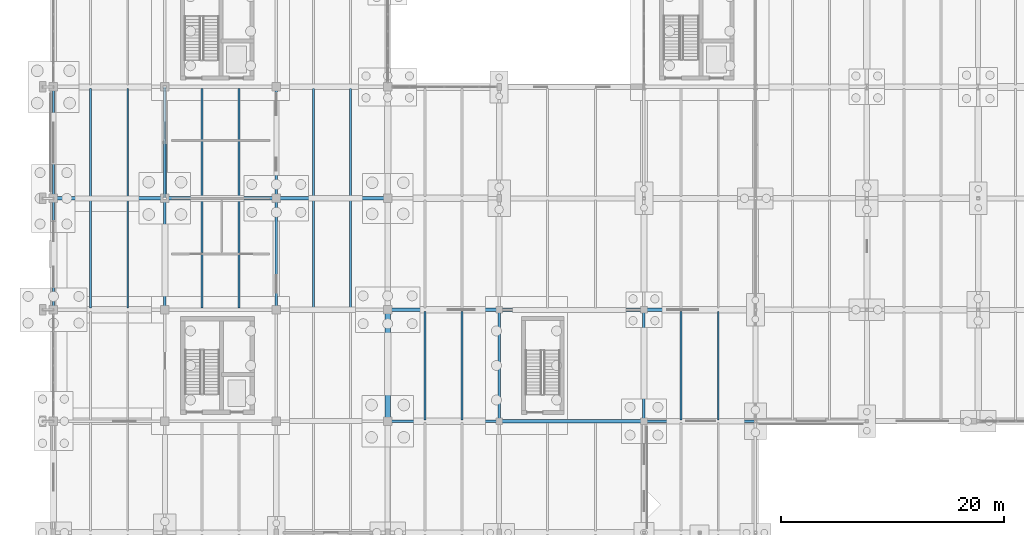
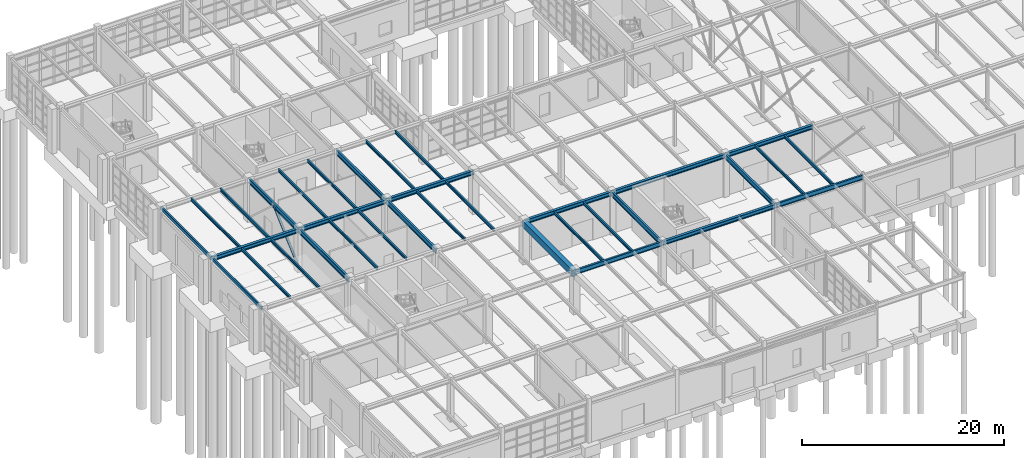
# One storey, part 36 of 145: 34 beams, 1 member.
"""IFC4 building model written with IfcOpenShell, lengths in metres."""

from ifc_helpers import new_model, si_unit, direction, frame, origin, origin_2d, place, context, subcontext, project, spatial, rectangle, hollow_rectangle, hollow_circle, i_section, extrude, material, material_profile, profile_set, type_object, element, save


model = new_model("IFC4")

# Units and contexts
model_context = context("Model", 3, precision=1e-05, world=origin(), true_north=direction((0.0, 1.0)))
body_context = subcontext(model_context, "Body", "Model", "MODEL_VIEW")
ifc_project = project(units=[si_unit("LENGTHUNIT", "METRE"), si_unit("AREAUNIT", "SQUARE_METRE"), si_unit("VOLUMEUNIT", "CUBIC_METRE"), si_unit("PLANEANGLEUNIT", "RADIAN"), si_unit("MASSUNIT", "GRAM", prefix="KILO"), si_unit("THERMODYNAMICTEMPERATUREUNIT", "KELVIN"), si_unit("POWERUNIT", "WATT")], contexts=[model_context])

# Site, building, storey
site_placement = place(None, origin())
site = spatial("IfcSite", under=ifc_project, at=site_placement, CompositionType="ELEMENT")
building_placement = place(site_placement, origin())
building = spatial("IfcBuilding", under=site, at=building_placement, Name="Korenveer Ferry Terminal", CompositionType="ELEMENT")
storey_placement = place(building_placement, origin())
storey = spatial("IfcBuildingStorey", under=building, at=storey_placement, Name="L00", CompositionType="ELEMENT", Elevation=0.0)

# Beams
ifc_material_1 = material(Name="Steel S355", Category="steel")
ifc_material_profile_1 = material_profile(ifc_material_1, i_section(OverallWidth=0.300048828125, OverallDepth=0.5, WebThickness=0.014404296875, FlangeThickness=0.028076171875, FilletRadius=0.027099609375, at=origin_2d()), Name="HEB 500")
ifc_profile_set_1 = profile_set([ifc_material_profile_1], Name="Steel S355")
beam_type_1 = type_object("IfcBeamType", Name="STR-BM-HEB500", PredefinedType="BEAM", material=ifc_profile_set_1)
beam_1_placement = place(storey_placement, frame((40.02001953125, 20.0, 4.8701171875), z_axis=(1.0, 0.0, 0.0), x_axis=(0.0, 1.0, 0.0)))
element("IfcBeam", 1, at=beam_1_placement, inside=storey, type_object=beam_type_1, Name="Primary X girder BMX-L01-X40-53-Y20", PredefinedType="BEAM", context=body_context, shape_type="SweptSolid", body=[
    extrude(i_section(OverallWidth=0.300048828125, OverallDepth=0.5, WebThickness=0.014404296875, FlangeThickness=0.028076171875, FilletRadius=0.027099609375, at=origin_2d()), origin(), (0.0, 0.0, 1.0), 12.9599609375),
])
beam_2_placement = place(storey_placement, frame((30.02001953125, 30.0, 4.8701171875), z_axis=(1.0, 0.0, 0.0), x_axis=(0.0, 1.0, 0.0)))
element("IfcBeam", 2, at=beam_2_placement, inside=storey, type_object=beam_type_1, Name="Primary X girder BMX-L01-X30-40-Y30", PredefinedType="BEAM", context=body_context, shape_type="SweptSolid", body=[
    extrude(i_section(OverallWidth=0.300048828125, OverallDepth=0.5, WebThickness=0.014404296875, FlangeThickness=0.028076171875, FilletRadius=0.027099609375, at=origin_2d()), origin(), (0.0, 0.0, 1.0), 9.9599609375),
])
beam_3_placement = place(storey_placement, frame((40.02001953125, 30.0, 4.8701171875), z_axis=(1.0, 0.0, 0.0), x_axis=(0.0, 1.0, 0.0)))
element("IfcBeam", 3, at=beam_3_placement, inside=storey, type_object=beam_type_1, Name="Primary X girder BMX-L01-X40-53-Y30", PredefinedType="BEAM", context=body_context, shape_type="SweptSolid", body=[
    extrude(i_section(OverallWidth=0.300048828125, OverallDepth=0.5, WebThickness=0.014404296875, FlangeThickness=0.028076171875, FilletRadius=0.027099609375, at=origin_2d()), origin(), (0.0, 0.0, 1.0), 12.9599609375),
])
for number, where, z_axis, x_axis, name in (
    (4, (53.02001953125, 30.0, 4.8701171875), (1.0, 0.0, 0.0), (0.0, 1.0, 0.0), "Primary X girder BMX-L01-X53-63-Y30"),
    (5, (0.02001953125, 40.0, 4.8701171875), (1.0, 0.0, 0.0), (0.0, 1.0, 0.0), "Primary X girder BMX-L01-X0-10-Y40"),
    (6, (10.02001953125, 40.0, 4.8701171875), (1.0, 0.0, 0.0), (0.0, 1.0, 0.0), "Primary X girder BMX-L01-X10-20-Y40"),
    (7, (20.02001953125, 40.0, 4.8701171875), (1.0, 0.0, 0.0), (0.0, 1.0, 0.0), "Primary X girder BMX-L01-X20-30-Y40"),
):
    element("IfcBeam", number, at=place(storey_placement, frame(where, z_axis=z_axis, x_axis=x_axis)), inside=storey, type_object=beam_type_1, Name=name, PredefinedType="BEAM", context=body_context, shape_type="SweptSolid", body=[
        extrude(i_section(OverallWidth=0.300048828125, OverallDepth=0.5, WebThickness=0.014404296875, FlangeThickness=0.028076171875, FilletRadius=0.027099609375, at=origin_2d()), origin(), (0.0, 0.0, 1.0), 9.9599609375),
    ])
ifc_material_profile_2 = material_profile(ifc_material_1, i_section(OverallWidth=0.2099609375, OverallDepth=0.550048828125, WebThickness=0.010986328125, FlangeThickness=0.01708984375, FilletRadius=0.02392578125, at=origin_2d()), Name="IPE 550")
ifc_profile_set_2 = profile_set([ifc_material_profile_2], Name="Steel S355")
beam_type_2 = type_object("IfcBeamType", Name="STR-BM-IPE550", PredefinedType="BEAM", material=ifc_profile_set_2)
for number, where, z_axis, x_axis, name in (
    (8, (30.02001953125, 20.0, 4.844970703125), (1.0, 0.0, 0.0), (0.0, 1.0, 0.0), "Primary X girder BMX-L01-X30-40-Y20"),
    (9, (53.02001953125, 20.0, 4.844970703125), (1.0, 0.0, 0.0), (0.0, 1.0, 0.0), "Primary X girder BMX-L01-X53-63-Y20"),
):
    element("IfcBeam", number, at=place(storey_placement, frame(where, z_axis=z_axis, x_axis=x_axis)), inside=storey, type_object=beam_type_2, Name=name, PredefinedType="BEAM", context=body_context, shape_type="SweptSolid", body=[
        extrude(i_section(OverallWidth=0.2099609375, OverallDepth=0.550048828125, WebThickness=0.010986328125, FlangeThickness=0.01708984375, FilletRadius=0.02392578125, at=origin_2d()), origin(), (0.0, 0.0, 1.0), 9.9599609375),
    ])
ifc_material_profile_3 = material_profile(ifc_material_1, i_section(OverallWidth=0.219970703125, OverallDepth=0.60009765625, WebThickness=0.011962890625, FlangeThickness=0.01904296875, FilletRadius=0.02392578125, at=origin_2d()), Name="IPE 600")
ifc_profile_set_3 = profile_set([ifc_material_profile_3], Name="Steel S355")
beam_type_3 = type_object("IfcBeamType", Name="STR-BM-IPE600", PredefinedType="BEAM", material=ifc_profile_set_3)
for number, where, z_axis, x_axis, name in (
    (10, (10.0, 30.02001953125, 4.820068359375), (0.0, 1.0, 0.0), (-1.0, 0.0, 0.0), "Primary Y girder BMY-L01-X10-Y30-40"),
    (11, (10.0, 40.02001953125, 4.820068359375), (0.0, 1.0, 0.0), (-1.0, 0.0, 0.0), "Primary Y girder BMY-L01-X10-Y40-50"),
    (12, (20.0, 30.02001953125, 4.820068359375), (0.0, 1.0, 0.0), (-1.0, 0.0, 0.0), "Primary Y girder BMY-L01-X20-Y30-40"),
    (13, (20.0, 40.02001953125, 4.820068359375), (0.0, 1.0, 0.0), (-1.0, 0.0, 0.0), "Primary Y girder BMY-L01-X20-Y40-50"),
    (14, (40.0, 20.02001953125, 4.820068359375), (0.0, 1.0, 0.0), (-1.0, 0.0, 0.0), "Primary Y girder BMY-L01-X40-Y20-30"),
    (15, (53.0, 20.02001953125, 4.820068359375), (0.0, 1.0, 0.0), (-1.0, 0.0, 0.0), "Primary Y girder BMY-L01-X53-Y20-30"),
):
    element("IfcBeam", number, at=place(storey_placement, frame(where, z_axis=z_axis, x_axis=x_axis)), inside=storey, type_object=beam_type_3, Name=name, PredefinedType="BEAM", context=body_context, shape_type="SweptSolid", body=[
        extrude(i_section(OverallWidth=0.219970703125, OverallDepth=0.60009765625, WebThickness=0.011962890625, FlangeThickness=0.01904296875, FilletRadius=0.02392578125, at=origin_2d()), origin(), (0.0, 0.0, 1.0), 9.9599609375),
    ])
ifc_material_2 = material(Name="Concrete C40/50", Category="concrete")
ifc_material_profile_4 = material_profile(ifc_material_2, rectangle(XDim=0.5, YDim=0.800048828125, at=origin_2d()), Name="RC 500x800")
ifc_profile_set_4 = profile_set([ifc_material_profile_4], Name="Concrete C40/50")
beam_type_4 = type_object("IfcBeamType", Name="STR-BM-RC500X800", PredefinedType="BEAM", material=ifc_profile_set_4)
beam_4_placement = place(storey_placement, frame((30.0, 20.02001953125, 4.719970703125), z_axis=(0.0, 1.0, 0.0), x_axis=(-1.0, 0.0, 0.0)))
element("IfcBeam", 16, at=beam_4_placement, inside=storey, type_object=beam_type_4, Name="Primary Y girder BMY-L01-X30-Y20-30", PredefinedType="BEAM", context=body_context, shape_type="SweptSolid", body=[
    extrude(rectangle(XDim=0.5, YDim=0.800048828125, at=origin_2d()), origin(), (0.0, 0.0, 1.0), 9.9599609375),
])

# Member
ifc_material_profile_5 = material_profile(ifc_material_1, hollow_circle(Radius=0.136474609375, WallThickness=0.012451171875, at=origin_2d()), Name="CHS 273x12.5")
ifc_profile_set_5 = profile_set([ifc_material_profile_5], Name="Steel S355")
member_type = type_object("IfcMemberType", Name="STR-BRC-CHS273", PredefinedType="BRACE", material=ifc_profile_set_5)
member_placement = place(storey_placement, frame((10.0, 40.02001953125, 0.239990234375), z_axis=(0.0, 0.737517234489, 0.675328311883), x_axis=(-1.0, 0.0, 0.0)))
element("IfcMember", 17, at=member_placement, inside=storey, type_object=member_type, Name="Lateral stability chevron brace BRCVF-L00-X10-400", PredefinedType="BRACE", context=body_context, shape_type="SweptSolid", body=[
    extrude(hollow_circle(Radius=0.136474609375, WallThickness=0.012451171875, at=origin_2d()), origin(), (0.0, 0.0, 1.0), 6.75244140625),
])

# Beams
ifc_material_profile_6 = material_profile(ifc_material_1, i_section(OverallWidth=0.169921875, OverallDepth=0.360107421875, WebThickness=0.008056640625, FlangeThickness=0.0126953125, FilletRadius=0.01806640625, at=origin_2d()), Name="IPE 360")
ifc_profile_set_6 = profile_set([ifc_material_profile_6], Name="Steel S355")
beam_type_5 = type_object("IfcBeamType", Name="STR-JST-IPE360", PredefinedType="JOIST", material=ifc_profile_set_6)
for number, where, z_axis, x_axis, name in (
    (18, (3.333251953125, 30.159912109375, 4.93994140625), (0.0, 1.0, 0.0), (-1.0, 0.0, 0.0), "Secondary composite joist JST-L01-X33-Y30-40"),
    (19, (6.666748046875, 30.159912109375, 4.93994140625), (0.0, 1.0, 0.0), (-1.0, 0.0, 0.0), "Secondary composite joist JST-L01-X67-Y30-40"),
    (20, (3.333251953125, 40.159912109375, 4.93994140625), (0.0, 1.0, 0.0), (-1.0, 0.0, 0.0), "Secondary composite joist JST-L01-X33-Y40-50"),
    (21, (6.666748046875, 40.159912109375, 4.93994140625), (0.0, 1.0, 0.0), (-1.0, 0.0, 0.0), "Secondary composite joist JST-L01-X67-Y40-50"),
    (22, (13.333251953125, 30.159912109375, 4.93994140625), (0.0, 1.0, 0.0), (-1.0, 0.0, 0.0), "Secondary composite joist JST-L01-X133-Y30-40"),
    (23, (16.666748046875, 30.159912109375, 4.93994140625), (0.0, 1.0, 0.0), (-1.0, 0.0, 0.0), "Secondary composite joist JST-L01-X167-Y30-40"),
    (24, (13.333251953125, 40.159912109375, 4.93994140625), (0.0, 1.0, 0.0), (-1.0, 0.0, 0.0), "Secondary composite joist JST-L01-X133-Y40-50"),
    (25, (16.666748046875, 40.159912109375, 4.93994140625), (0.0, 1.0, 0.0), (-1.0, 0.0, 0.0), "Secondary composite joist JST-L01-X167-Y40-50"),
    (26, (23.333251953125, 30.159912109375, 4.93994140625), (0.0, 1.0, 0.0), (-1.0, 0.0, 0.0), "Secondary composite joist JST-L01-X233-Y30-40"),
    (27, (26.666748046875, 30.159912109375, 4.93994140625), (0.0, 1.0, 0.0), (-1.0, 0.0, 0.0), "Secondary composite joist JST-L01-X267-Y30-40"),
    (28, (23.333251953125, 40.159912109375, 4.93994140625), (0.0, 1.0, 0.0), (-1.0, 0.0, 0.0), "Secondary composite joist JST-L01-X233-Y40-50"),
    (29, (26.666748046875, 40.159912109375, 4.93994140625), (0.0, 1.0, 0.0), (-1.0, 0.0, 0.0), "Secondary composite joist JST-L01-X267-Y40-50"),
):
    element("IfcBeam", number, at=place(storey_placement, frame(where, z_axis=z_axis, x_axis=x_axis)), inside=storey, type_object=beam_type_5, Name=name, PredefinedType="JOIST", context=body_context, shape_type="SweptSolid", body=[
        extrude(i_section(OverallWidth=0.169921875, OverallDepth=0.360107421875, WebThickness=0.008056640625, FlangeThickness=0.0126953125, FilletRadius=0.01806640625, at=origin_2d()), origin(), (0.0, 0.0, 1.0), 9.68017578125),
    ])
for number, where, z_axis, x_axis, name in (
    (30, (33.333251953125, 20.114990234375, 4.93994140625), (0.0, 1.0, 0.0), (-1.0, 0.0, 0.0), "Secondary composite joist JST-L01-X333-Y20-30"),
    (31, (36.666748046875, 20.114990234375, 4.93994140625), (0.0, 1.0, 0.0), (-1.0, 0.0, 0.0), "Secondary composite joist JST-L01-X367-Y20-30"),
    (32, (56.333251953125, 20.114990234375, 4.93994140625), (0.0, 1.0, 0.0), (-1.0, 0.0, 0.0), "Secondary composite joist JST-L01-X563-Y20-30"),
    (33, (59.666748046875, 20.114990234375, 4.93994140625), (0.0, 1.0, 0.0), (-1.0, 0.0, 0.0), "Secondary composite joist JST-L01-X597-Y20-30"),
):
    element("IfcBeam", number, at=place(storey_placement, frame(where, z_axis=z_axis, x_axis=x_axis)), inside=storey, type_object=beam_type_5, Name=name, PredefinedType="JOIST", context=body_context, shape_type="SweptSolid", body=[
        extrude(i_section(OverallWidth=0.169921875, OverallDepth=0.360107421875, WebThickness=0.008056640625, FlangeThickness=0.0126953125, FilletRadius=0.01806640625, at=origin_2d()), origin(), (0.0, 0.0, 1.0), 9.72509765625),
    ])
ifc_material_profile_7 = material_profile(ifc_material_1, hollow_rectangle(XDim=0.199951171875, YDim=0.39990234375, WallThickness=0.01611328125, InnerFilletRadius=0.01611328125, OuterFilletRadius=0.02392578125, at=origin_2d()), Name="RHS 400x200x16")
ifc_profile_set_7 = profile_set([ifc_material_profile_7], Name="Steel S355")
beam_type_6 = type_object("IfcBeamType", Name="STR-SPD-RHS400", PredefinedType="SPANDREL", material=ifc_profile_set_7)
for number, where, z_axis, x_axis, name in (
    (34, (0.0, 30.02001953125, 4.919921875), (0.0, 1.0, 0.0), (-1.0, 0.0, 0.0), "Primary Y girder BMY-L01-X0-Y30-40"),
    (35, (0.0, 40.02001953125, 4.919921875), (0.0, 1.0, 0.0), (-1.0, 0.0, 0.0), "Primary Y girder BMY-L01-X0-Y40-50"),
):
    element("IfcBeam", number, at=place(storey_placement, frame(where, z_axis=z_axis, x_axis=x_axis)), inside=storey, type_object=beam_type_6, Name=name, PredefinedType="SPANDREL", context=body_context, shape_type="SweptSolid", body=[
        extrude(hollow_rectangle(XDim=0.199951171875, YDim=0.39990234375, WallThickness=0.01611328125, InnerFilletRadius=0.01611328125, OuterFilletRadius=0.02392578125, at=origin_2d()), origin(), (0.0, 0.0, 1.0), 9.9599609375),
    ])

save(model, "model.ifc")
